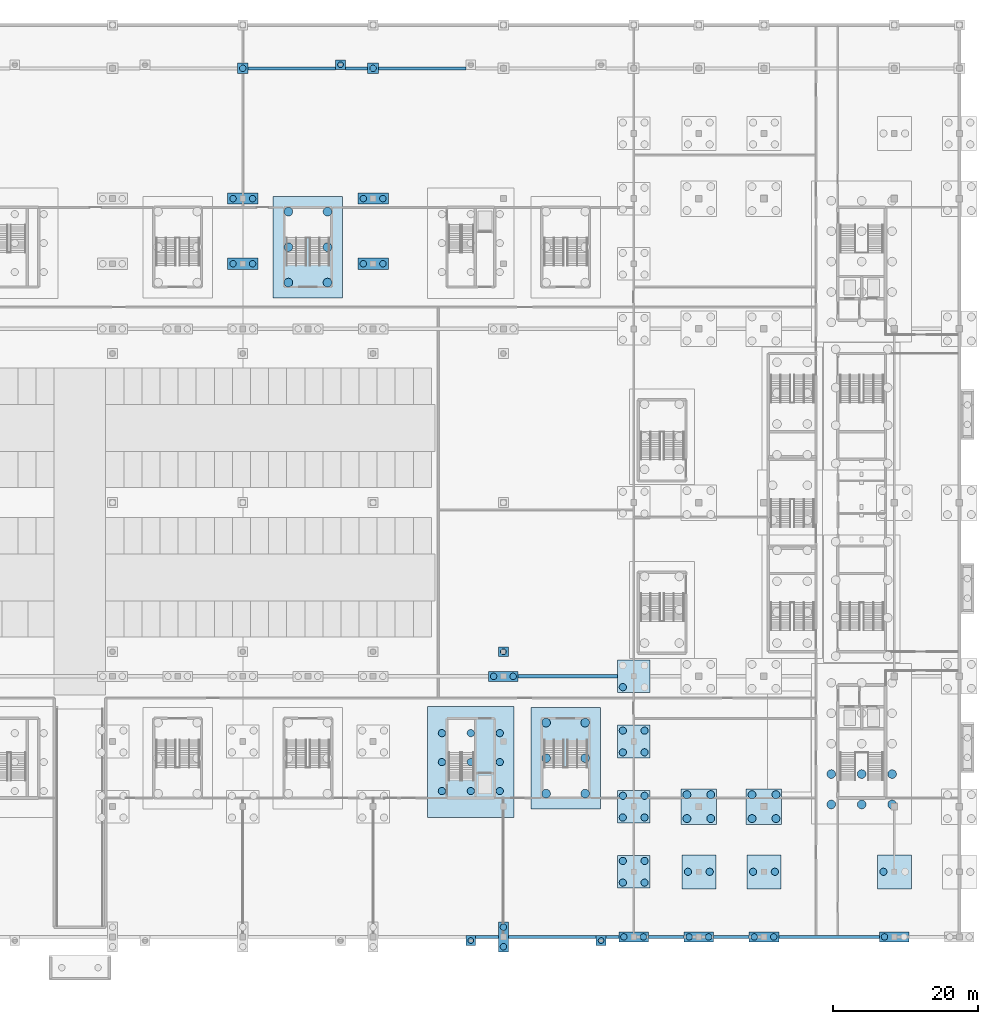
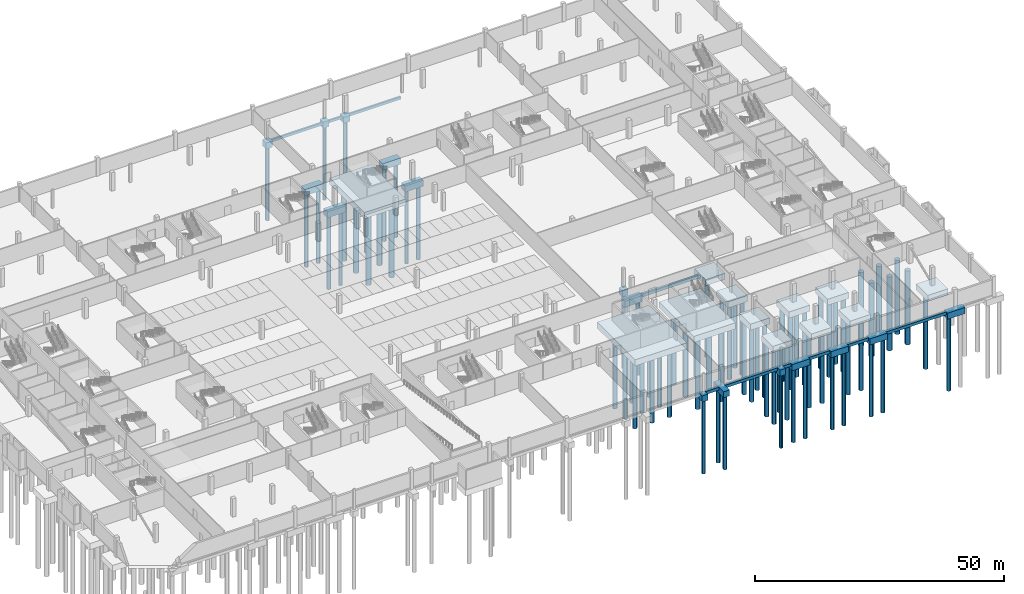
# One storey, part 5 of 46: 78 piles, 38 footings.
"""IFC4 building model written with IfcOpenShell, lengths in metres."""

import ifcopenshell
import ifcopenshell.guid

model = None  # the IFC model being written
_history = None  # IfcOwnerHistory: only IFC2X3 demands one
_inside = {}  # id of a spatial element -> (the spatial element, [elements in it])
_under = {}  # id of a project, library or spatial element -> (it, [spatial elements below it])
_declared = {}  # id of a project -> (the project, [libraries it declares])
_typed = {}  # id of a type object -> (the type object, [elements of that type])
_made_of = {}  # id of a material, layer set ... -> (it, [elements and type objects made of it])


def new_model(schema):
    """Start an empty IFC model of exactly this schema.

    Asked for "IFC4X3", IfcOpenShell would pick the latest addendum, in which some entities
    have other attributes; the version numbers below select the first issue.
    IFC2X3 requires an IfcOwnerHistory on every rooted entity: one is made here for all.
    """
    global model, _history
    if schema == "IFC4X3":
        model = ifcopenshell.file(schema_version=(4, 3, 0, 0))
    else:
        model = ifcopenshell.file(schema=schema)
    _inside.clear()
    _under.clear()
    _declared.clear()
    _typed.clear()
    _made_of.clear()
    _history = None
    if model.schema == "IFC2X3":
        org = make("IfcOrganization", Name="unknown")
        user = make(
            "IfcPersonAndOrganization",
            ThePerson=make("IfcPerson", FamilyName="unknown"),
            TheOrganization=org,
        )
        app = make(
            "IfcApplication",
            ApplicationDeveloper=org,
            Version="unknown",
            ApplicationFullName="unknown",
            ApplicationIdentifier="unknown",
        )
        _history = make(
            "IfcOwnerHistory",
            OwningUser=user,
            OwningApplication=app,
            ChangeAction="ADDED",
            CreationDate=0,
        )
    return model


def make(cls, **values):
    """One entity of the class cls with the attributes given. An attribute that is None is left unset."""
    return model.create_entity(
        cls, **{name: value for name, value in values.items() if value is not None}
    )


def rooted(cls, **values):
    """An entity with a GlobalId (a new one), such as an element, a storey or a relation."""
    return make(cls, GlobalId=ifcopenshell.guid.new(), OwnerHistory=_history, **values)


def si_unit(unit_type, name, prefix=None):
    """IfcSIUnit, for example si_unit("LENGTHUNIT", "METRE", prefix="MILLI")."""
    return make("IfcSIUnit", UnitType=unit_type, Prefix=prefix, Name=name)


def assignment(units):
    """IfcUnitAssignment: the units of a project."""
    return None if units is None else make("IfcUnitAssignment", Units=units)


def point(xyz):
    """IfcCartesianPoint."""
    return None if xyz is None else make("IfcCartesianPoint", Coordinates=xyz)


def direction(xyz):
    """IfcDirection."""
    return None if xyz is None else make("IfcDirection", DirectionRatios=xyz)


def frame(location, z_axis=None, x_axis=None):
    """IfcAxis2Placement3D, a coordinate frame: its origin and axes. An axis left out is left unset."""
    return make(
        "IfcAxis2Placement3D",
        Location=point(location),
        Axis=direction(z_axis),
        RefDirection=direction(x_axis),
    )


def frame_2d(location, x_axis=None):
    """IfcAxis2Placement2D, a coordinate frame in the plane: its origin and x axis."""
    return make(
        "IfcAxis2Placement2D", Location=point(location), RefDirection=direction(x_axis)
    )


def origin():
    """The frame at (0, 0, 0) with its axes left unset."""
    return frame((0.0, 0.0, 0.0))


def origin_2d():
    """The frame at (0, 0) in the plane with its x axis left unset."""
    return frame_2d((0.0, 0.0))


def place(relative_to, where):
    """IfcLocalPlacement: puts the frame where relative to a parent placement (None: the world)."""
    return make(
        "IfcLocalPlacement", PlacementRelTo=relative_to, RelativePlacement=where
    )


def context(
    kind, dimensions, precision=None, world=None, true_north=None, identifier=None
):
    """IfcGeometricRepresentationContext, for example the 3D "Model" context."""
    return make(
        "IfcGeometricRepresentationContext",
        ContextIdentifier=identifier,
        ContextType=kind,
        CoordinateSpaceDimension=dimensions,
        Precision=precision,
        WorldCoordinateSystem=world,
        TrueNorth=true_north,
    )


def subcontext(parent, identifier, kind, view, scale=None):
    """IfcGeometricRepresentationSubContext, for example "Body" below "Model"."""
    return make(
        "IfcGeometricRepresentationSubContext",
        ContextIdentifier=identifier,
        ContextType=kind,
        ParentContext=parent,
        TargetScale=scale,
        TargetView=view,
    )


def project(units=None, contexts=None):
    """IfcProject with its units and contexts."""
    return rooted(
        "IfcProject",
        Name="project",
        RepresentationContexts=contexts,
        UnitsInContext=assignment(units),
    )


def spatial(cls, under=None, at=None, **own):
    """A site, building, storey or space (cls), placed at a placement, below another one or the project."""
    s = rooted(cls, ObjectPlacement=at, **own)
    if under is not None:
        _under.setdefault(under.id(), (under, []))[1].append(s)
    return s


def polyline(points):
    """IfcPolyline through the points."""
    return make("IfcPolyline", Points=[point(p) for p in points])


def profile(cls, at=None, kind="AREA", **sizes):
    """A parametric profile (cls). Its sizes go by their IFC names, for example OverallWidth=200.0."""
    return make(cls, ProfileType=kind, Position=at, **sizes)


def circle(**sizes):
    """IfcCircleProfileDef."""
    return profile("IfcCircleProfileDef", **sizes)


def outline(outer, holes=None, kind="AREA"):
    """IfcArbitraryClosedProfileDef: a profile drawn as a closed curve; with holes, ...WithVoids."""
    if holes is None:
        return make("IfcArbitraryClosedProfileDef", ProfileType=kind, OuterCurve=outer)
    return make(
        "IfcArbitraryProfileDefWithVoids",
        ProfileType=kind,
        OuterCurve=outer,
        InnerCurves=holes,
    )


def extrude(swept, where, along, depth):
    """IfcExtrudedAreaSolid: the profile swept, set in the frame where, extruded along a direction by depth."""
    return make(
        "IfcExtrudedAreaSolid",
        SweptArea=swept,
        Position=where,
        ExtrudedDirection=direction(along),
        Depth=depth,
    )


def shape(context_of_items, identifier, shape_type, items):
    """IfcShapeRepresentation: the items that make up one representation, for example the "Body"."""
    return make(
        "IfcShapeRepresentation",
        ContextOfItems=context_of_items,
        RepresentationIdentifier=identifier,
        RepresentationType=shape_type,
        Items=items,
    )


def material(Name=None, Category=None):
    """IfcMaterial."""
    return make("IfcMaterial", Name=Name, Category=Category)


def material_profile(
    of_material, cross_section, Name=None, Category=None, Priority=None
):
    """IfcMaterialProfile: a cross section and its material."""
    return make(
        "IfcMaterialProfile",
        Name=Name,
        Material=of_material,
        Profile=cross_section,
        Priority=Priority,
        Category=Category,
    )


def profile_set(profiles, Name=None, composite=None):
    """IfcMaterialProfileSet."""
    return make(
        "IfcMaterialProfileSet",
        Name=Name,
        MaterialProfiles=profiles,
        CompositeProfile=composite,
    )


def made_of(thing, what):
    """Note that an element or type object is made of a material, layer set ...; save() writes the relation."""
    if what is not None:
        _made_of.setdefault(what.id(), (what, []))[1].append(thing)
    return thing


def type_object(cls, material=None, **own):
    """A type object (cls), such as IfcWallType, which elements share."""
    return made_of(rooted(cls, **own), material)


def element(
    cls,
    number,
    at=None,
    inside=None,
    cuts=None,
    type_object=None,
    material=None,
    context=None,
    identifier="Body",
    shape_type=None,
    held_by="IfcProductDefinitionShape",
    body=None,
    shapes=None,
    **own,
):
    """One element of the class cls, such as IfcWall. Its Tag is "e" and its number.

    at: its placement. inside: the storey or other place that contains it. cuts: it is an
    opening in that element (IfcRelVoidsElement). A single representation is given by context,
    identifier, shape_type and body (its items); several are given by shapes. held_by: the class
    of the entity that holds the representations. save() writes the other relations.
    """
    e = rooted(cls, Tag="e%d" % number, ObjectPlacement=at, **own)
    if body is not None:
        shapes = [shape(context, identifier, shape_type, body)]
    if shapes is not None:
        e.Representation = make(held_by, Representations=shapes)
    if inside is not None:
        _inside.setdefault(inside.id(), (inside, []))[1].append(e)
    if cuts is not None:
        rooted(
            "IfcRelVoidsElement", RelatingBuildingElement=cuts, RelatedOpeningElement=e
        )
    if type_object is not None:
        _typed.setdefault(type_object.id(), (type_object, []))[1].append(e)
    return made_of(e, material)


def aggregate(whole, parts):
    """IfcRelAggregates: a whole, such as a stair, and the parts it consists of."""
    return rooted("IfcRelAggregates", RelatingObject=whole, RelatedObjects=parts)


def save(model, path):
    """Write the relations noted so far, then the file.

    IfcRelAggregates (storeys below a building ...), IfcRelContainedInSpatialStructure (elements
    in a storey), IfcRelDefinesByType, IfcRelAssociatesMaterial and IfcRelDeclares: one each for
    every whole, place, type object, material and project.
    """
    for whole, parts in _under.values():
        aggregate(whole, parts)
    for where, things in _inside.values():
        rooted(
            "IfcRelContainedInSpatialStructure",
            RelatedElements=things,
            RelatingStructure=where,
        )
    for kind, things in _typed.values():
        rooted("IfcRelDefinesByType", RelatedObjects=things, RelatingType=kind)
    for what, things in _made_of.values():
        rooted("IfcRelAssociatesMaterial", RelatedObjects=things, RelatingMaterial=what)
    for by, libraries in _declared.values():
        rooted("IfcRelDeclares", RelatingContext=by, RelatedDefinitions=libraries)
    model.write(path)


model = new_model("IFC4")

# Units and contexts
model_context = context("Model", 3, precision=1e-05, world=origin(), true_north=direction((0.0, 1.0)))
body_context = subcontext(model_context, "Body", "Model", "MODEL_VIEW")
ifc_project = project(units=[si_unit("LENGTHUNIT", "METRE"), si_unit("AREAUNIT", "SQUARE_METRE"), si_unit("VOLUMEUNIT", "CUBIC_METRE"), si_unit("PLANEANGLEUNIT", "RADIAN"), si_unit("MASSUNIT", "GRAM", prefix="KILO")], contexts=[model_context])

# Site, building, storey
site_placement = place(None, origin())
site = spatial("IfcSite", under=ifc_project, at=site_placement, CompositionType="ELEMENT")
building_placement = place(site_placement, origin())
building = spatial("IfcBuilding", under=site, at=building_placement, Name="Kisiwana Market Hall", CompositionType="ELEMENT")
storey_placement = place(building_placement, frame((0.0, 0.0, -4.5)))
storey = spatial("IfcBuildingStorey", under=building, at=storey_placement, Name="B1", CompositionType="ELEMENT", Elevation=-4.5)

# Footings
ifc_material_1 = material(Name="Concrete C40/50", Category="concrete")
footing_type_1 = type_object("IfcFootingType", Name="FB-TIE-400x650", PredefinedType="FOOTING_BEAM", material=ifc_material_1)
footing_1_placement = place(storey_placement, frame((0.0, 0.0, -1.10009765625)))
element("IfcFooting", 1, at=footing_1_placement, inside=storey, type_object=footing_type_1, Name="Ground tie beam F-262", PredefinedType="FOOTING_BEAM", context=body_context, shape_type="SweptSolid", body=[
    extrude(outline(polyline([(99.75, 119.800048828125), (111.824951171875, 119.800048828125), (111.824951171875, 120.199951171875), (99.75, 120.199951171875), (99.75, 119.800048828125)])), origin(), (0.0, 0.0, 1.0), 0.650146484375),
])
footing_2_placement = place(storey_placement, frame((0.0, 0.0, -1.10009765625)))
element("IfcFooting", 2, at=footing_2_placement, inside=storey, type_object=footing_type_1, Name="Ground tie beam F-263", PredefinedType="FOOTING_BEAM", context=body_context, shape_type="SweptSolid", body=[
    extrude(outline(polyline([(113.175048828125, 119.800048828125), (116.25, 119.800048828125), (116.25, 120.199951171875), (113.175048828125, 120.199951171875), (113.175048828125, 119.800048828125)])), origin(), (0.0, 0.0, 1.0), 0.650146484375),
])
footing_3_placement = place(storey_placement, frame((0.0, 0.0, -1.10009765625)))
element("IfcFooting", 3, at=footing_3_placement, inside=storey, type_object=footing_type_1, Name="Ground tie beam F-264", PredefinedType="FOOTING_BEAM", context=body_context, shape_type="SweptSolid", body=[
    extrude(outline(polyline([(117.75, 119.800048828125), (129.824951171875, 119.800048828125), (129.824951171875, 120.199951171875), (117.75, 120.199951171875), (117.75, 119.800048828125)])), origin(), (0.0, 0.0, 1.0), 0.650146484375),
])
ifc_material_2 = material(Name="Concrete C40/50", Category="concrete")
footing_type_2 = type_object("IfcFootingType", Name="FB-TIE-450x700", PredefinedType="FOOTING_BEAM", material=ifc_material_2)
footing_4_placement = place(storey_placement, frame((0.0, 0.0, -1.14990234375)))
element("IfcFooting", 4, at=footing_4_placement, inside=storey, type_object=footing_type_2, Name="Ground tie beam F-213", PredefinedType="FOOTING_BEAM", context=body_context, shape_type="SweptSolid", body=[
    extrude(outline(polyline([(131.175048828125, -0.22509765625), (134.300048828125, -0.22509765625), (134.300048828125, 0.22509765625), (131.175048828125, 0.22509765625), (131.175048828125, -0.22509765625)])), origin(), (0.0, 0.0, 1.0), 0.699951171875),
])
footing_5_placement = place(storey_placement, frame((0.0, 0.0, -1.14990234375)))
element("IfcFooting", 5, at=footing_5_placement, inside=storey, type_object=footing_type_2, Name="Ground tie beam F-214", PredefinedType="FOOTING_BEAM", context=body_context, shape_type="SweptSolid", body=[
    extrude(outline(polyline([(135.699951171875, -0.22509765625), (147.824951171875, -0.22509765625), (147.824951171875, 0.22509765625), (135.699951171875, 0.22509765625), (135.699951171875, -0.22509765625)])), origin(), (0.0, 0.0, 1.0), 0.699951171875),
])
footing_6_placement = place(storey_placement, frame((0.0, 0.0, -1.14990234375)))
element("IfcFooting", 6, at=footing_6_placement, inside=storey, type_object=footing_type_2, Name="Ground tie beam F-215", PredefinedType="FOOTING_BEAM", context=body_context, shape_type="SweptSolid", body=[
    extrude(outline(polyline([(149.175048828125, -0.22509765625), (150.949951171875, -0.22509765625), (150.949951171875, 0.22509765625), (149.175048828125, 0.22509765625), (149.175048828125, -0.22509765625)])), origin(), (0.0, 0.0, 1.0), 0.699951171875),
])
footing_7_placement = place(storey_placement, frame((0.0, 0.0, -1.14990234375)))
element("IfcFooting", 7, at=footing_7_placement, inside=storey, type_object=footing_type_2, Name="Ground tie beam F-216", PredefinedType="FOOTING_BEAM", context=body_context, shape_type="SweptSolid", body=[
    extrude(outline(polyline([(155.050048828125, -0.22509765625), (159.949951171875, -0.22509765625), (159.949951171875, 0.22509765625), (155.050048828125, 0.22509765625), (155.050048828125, -0.22509765625)])), origin(), (0.0, 0.0, 1.0), 0.699951171875),
])
footing_8_placement = place(storey_placement, frame((0.0, 0.0, -1.14990234375)))
element("IfcFooting", 8, at=footing_8_placement, inside=storey, type_object=footing_type_2, Name="Ground tie beam F-217", PredefinedType="FOOTING_BEAM", context=body_context, shape_type="SweptSolid", body=[
    extrude(outline(polyline([(164.050048828125, -0.22509765625), (168.949951171875, -0.22509765625), (168.949951171875, 0.22509765625), (164.050048828125, 0.22509765625), (164.050048828125, -0.22509765625)])), origin(), (0.0, 0.0, 1.0), 0.699951171875),
])
footing_9_placement = place(storey_placement, frame((0.0, 0.0, -1.14990234375)))
element("IfcFooting", 9, at=footing_9_placement, inside=storey, type_object=footing_type_2, Name="Ground tie beam F-218", PredefinedType="FOOTING_BEAM", context=body_context, shape_type="SweptSolid", body=[
    extrude(outline(polyline([(173.050048828125, -0.22509765625), (186.949951171875, -0.22509765625), (186.949951171875, 0.22509765625), (173.050048828125, 0.22509765625), (173.050048828125, -0.22509765625)])), origin(), (0.0, 0.0, 1.0), 0.699951171875),
])
ifc_material_3 = material(Name="Concrete C40/50", Category="concrete")
footing_type_3 = type_object("IfcFootingType", Name="FB-TIE-500x750", PredefinedType="FOOTING_BEAM", material=ifc_material_3)
footing_10_placement = place(storey_placement, frame((0.0, 0.0, -1.199951171875)))
element("IfcFooting", 10, at=footing_10_placement, inside=storey, type_object=footing_type_3, Name="Ground tie beam F-231", PredefinedType="FOOTING_BEAM", context=body_context, shape_type="SweptSolid", body=[
    extrude(outline(polyline([(137.050048828125, 35.75), (150.75, 35.75), (150.75, 36.25), (137.050048828125, 36.25), (137.050048828125, 35.75)])), origin(), (0.0, 0.0, 1.0), 0.75),
])
ifc_material_4 = material(Name="Concrete C40/50", Category="concrete")
footing_type_4 = type_object("IfcFootingType", Name="PC-1P-800", PredefinedType="PILE_CAP", material=ifc_material_4)
footing_11_placement = place(storey_placement, frame((0.0, 0.0, -1.949951171875)))
element("IfcFooting", 11, at=footing_11_placement, inside=storey, type_object=footing_type_4, Name="Pilaster cap F-142", PredefinedType="PILE_CAP", context=body_context, shape_type="SweptSolid", body=[
    extrude(outline(polyline([(129.824951171875, -1.175048828125), (131.175048828125, -1.175048828125), (131.175048828125, 0.175048828125), (129.824951171875, 0.175048828125), (129.824951171875, -1.175048828125)])), origin(), (0.0, 0.0, 1.0), 1.5),
])
footing_12_placement = place(storey_placement, frame((0.0, 0.0, -1.949951171875)))
element("IfcFooting", 12, at=footing_12_placement, inside=storey, type_object=footing_type_4, Name="Pilaster cap F-143", PredefinedType="PILE_CAP", context=body_context, shape_type="SweptSolid", body=[
    extrude(outline(polyline([(147.824951171875, -1.175048828125), (149.175048828125, -1.175048828125), (149.175048828125, 0.175048828125), (147.824951171875, 0.175048828125), (147.824951171875, -1.175048828125)])), origin(), (0.0, 0.0, 1.0), 1.5),
])
footing_13_placement = place(storey_placement, frame((0.0, 0.0, -1.949951171875)))
element("IfcFooting", 13, at=footing_13_placement, inside=storey, type_object=footing_type_4, Name="Pilaster cap F-147", PredefinedType="PILE_CAP", context=body_context, shape_type="SweptSolid", body=[
    extrude(outline(polyline([(111.824951171875, 119.824951171875), (113.175048828125, 119.824951171875), (113.175048828125, 121.175048828125), (111.824951171875, 121.175048828125), (111.824951171875, 119.824951171875)])), origin(), (0.0, 0.0, 1.0), 1.5),
])
footing_14_placement = place(storey_placement, frame((0.0, 0.0, -1.949951171875)))
element("IfcFooting", 14, at=footing_14_placement, inside=storey, type_object=footing_type_4, Name="Gallery post cap F-158", PredefinedType="PILE_CAP", context=body_context, shape_type="SweptSolid", body=[
    extrude(outline(polyline([(134.324951171875, 38.72509765625), (135.675048828125, 38.72509765625), (135.675048828125, 40.074951171875), (134.324951171875, 40.074951171875), (134.324951171875, 38.72509765625)])), origin(), (0.0, 0.0, 1.0), 1.5),
])
ifc_material_5 = material(Name="Concrete C40/50", Category="concrete")
footing_type_5 = type_object("IfcFootingType", Name="PC-1P-900", PredefinedType="PILE_CAP", material=ifc_material_5)
footing_15_placement = place(storey_placement, frame((0.0, 0.0, -1.949951171875)))
element("IfcFooting", 15, at=footing_15_placement, inside=storey, type_object=footing_type_5, Name="Pile cap F-073 at Q/12", PredefinedType="PILE_CAP", context=body_context, shape_type="SweptSolid", body=[
    extrude(outline(polyline([(98.25, 119.25), (99.75, 119.25), (99.75, 120.75), (98.25, 120.75), (98.25, 119.25)])), origin(), (0.0, 0.0, 1.0), 1.5),
])
footing_16_placement = place(storey_placement, frame((0.0, 0.0, -1.949951171875)))
element("IfcFooting", 16, at=footing_16_placement, inside=storey, type_object=footing_type_5, Name="Pile cap F-085 at Q/14", PredefinedType="PILE_CAP", context=body_context, shape_type="SweptSolid", body=[
    extrude(outline(polyline([(116.25, 119.25), (117.75, 119.25), (117.75, 120.75), (116.25, 120.75), (116.25, 119.25)])), origin(), (0.0, 0.0, 1.0), 1.5),
])
ifc_material_6 = material(Name="Concrete C40/50", Category="concrete")
footing_type_6 = type_object("IfcFootingType", Name="PC-2P-900", PredefinedType="PILE_CAP", material=ifc_material_6)
footing_17_placement = place(storey_placement, frame((0.0, 0.0, -1.949951171875)))
element("IfcFooting", 17, at=footing_17_placement, inside=storey, type_object=footing_type_6, Name="Pile cap F-088 at E/16", PredefinedType="PILE_CAP", context=body_context, shape_type="SweptSolid", body=[
    extrude(outline(polyline([(132.949951171875, 35.300048828125), (137.050048828125, 35.300048828125), (137.050048828125, 36.699951171875), (132.949951171875, 36.699951171875), (132.949951171875, 35.300048828125)])), origin(), (0.0, 0.0, 1.0), 1.5),
])
footing_18_placement = place(storey_placement, frame((0.0, 0.0, -1.949951171875)))
element("IfcFooting", 18, at=footing_18_placement, inside=storey, type_object=footing_type_6, Name="Pile cap F-093 at A/18", PredefinedType="PILE_CAP", context=body_context, shape_type="SweptSolid", body=[
    extrude(outline(polyline([(150.949951171875, -0.699951171875), (155.050048828125, -0.699951171875), (155.050048828125, 0.699951171875), (150.949951171875, 0.699951171875), (150.949951171875, -0.699951171875)])), origin(), (0.0, 0.0, 1.0), 1.5),
])
footing_19_placement = place(storey_placement, frame((0.0, 0.0, -1.949951171875)))
element("IfcFooting", 19, at=footing_19_placement, inside=storey, type_object=footing_type_6, Name="Pile cap F-105 at A/19", PredefinedType="PILE_CAP", context=body_context, shape_type="SweptSolid", body=[
    extrude(outline(polyline([(159.949951171875, -0.699951171875), (164.050048828125, -0.699951171875), (164.050048828125, 0.699951171875), (159.949951171875, 0.699951171875), (159.949951171875, -0.699951171875)])), origin(), (0.0, 0.0, 1.0), 1.5),
])
footing_20_placement = place(storey_placement, frame((0.0, 0.0, -1.949951171875)))
element("IfcFooting", 20, at=footing_20_placement, inside=storey, type_object=footing_type_6, Name="Pile cap F-114 at A/20", PredefinedType="PILE_CAP", context=body_context, shape_type="SweptSolid", body=[
    extrude(outline(polyline([(168.949951171875, -0.699951171875), (173.050048828125, -0.699951171875), (173.050048828125, 0.699951171875), (168.949951171875, 0.699951171875), (168.949951171875, -0.699951171875)])), origin(), (0.0, 0.0, 1.0), 1.5),
])
footing_21_placement = place(storey_placement, frame((0.0, 0.0, -1.949951171875)))
element("IfcFooting", 21, at=footing_21_placement, inside=storey, type_object=footing_type_6, Name="Pile cap F-123 at A/22", PredefinedType="PILE_CAP", context=body_context, shape_type="SweptSolid", body=[
    extrude(outline(polyline([(186.949951171875, -0.699951171875), (191.050048828125, -0.699951171875), (191.050048828125, 0.699951171875), (186.949951171875, 0.699951171875), (186.949951171875, -0.699951171875)])), origin(), (0.0, 0.0, 1.0), 1.5),
])
ifc_material_7 = material(Name="Concrete C40/50", Category="concrete")
footing_type_7 = type_object("IfcFootingType", Name="PC-2P-900V", PredefinedType="PILE_CAP", material=ifc_material_7)
footing_22_placement = place(storey_placement, frame((0.0, 0.0, -1.949951171875)))
element("IfcFooting", 22, at=footing_22_placement, inside=storey, type_object=footing_type_7, Name="Pile cap F-087 at A/16", PredefinedType="PILE_CAP", context=body_context, shape_type="SweptSolid", body=[
    extrude(outline(polyline([(134.300048828125, -2.050048828125), (135.699951171875, -2.050048828125), (135.699951171875, 2.050048828125), (134.300048828125, 2.050048828125), (134.300048828125, -2.050048828125)])), origin(), (0.0, 0.0, 1.0), 1.5),
])
ifc_material_8 = material(Name="Concrete C40/50", Category="concrete")
footing_type_8 = type_object("IfcFootingType", Name="PC-2P-950", PredefinedType="PILE_CAP", material=ifc_material_8)
footing_23_placement = place(storey_placement, frame((0.0, 0.0, -1.949951171875)))
element("IfcFooting", 23, at=footing_23_placement, inside=storey, type_object=footing_type_8, Name="Pile cap F-071 at M/12", PredefinedType="PILE_CAP", context=body_context, shape_type="SweptSolid", body=[
    extrude(outline(polyline([(96.89990234375, 92.22509765625), (101.10009765625, 92.22509765625), (101.10009765625, 93.77490234375), (96.89990234375, 93.77490234375), (96.89990234375, 92.22509765625)])), origin(), (0.0, 0.0, 1.0), 1.5),
])
footing_24_placement = place(storey_placement, frame((0.0, 0.0, -1.949951171875)))
element("IfcFooting", 24, at=footing_24_placement, inside=storey, type_object=footing_type_8, Name="Pile cap F-072 at N/12", PredefinedType="PILE_CAP", context=body_context, shape_type="SweptSolid", body=[
    extrude(outline(polyline([(96.89990234375, 101.22509765625), (101.10009765625, 101.22509765625), (101.10009765625, 102.77490234375), (96.89990234375, 102.77490234375), (96.89990234375, 101.22509765625)])), origin(), (0.0, 0.0, 1.0), 1.5),
])
footing_25_placement = place(storey_placement, frame((0.0, 0.0, -1.949951171875)))
element("IfcFooting", 25, at=footing_25_placement, inside=storey, type_object=footing_type_8, Name="Pile cap F-083 at M/14", PredefinedType="PILE_CAP", context=body_context, shape_type="SweptSolid", body=[
    extrude(outline(polyline([(114.89990234375, 92.22509765625), (119.10009765625, 92.22509765625), (119.10009765625, 93.77490234375), (114.89990234375, 93.77490234375), (114.89990234375, 92.22509765625)])), origin(), (0.0, 0.0, 1.0), 1.5),
])
footing_26_placement = place(storey_placement, frame((0.0, 0.0, -1.949951171875)))
element("IfcFooting", 26, at=footing_26_placement, inside=storey, type_object=footing_type_8, Name="Pile cap F-084 at N/14", PredefinedType="PILE_CAP", context=body_context, shape_type="SweptSolid", body=[
    extrude(outline(polyline([(114.89990234375, 101.22509765625), (119.10009765625, 101.22509765625), (119.10009765625, 102.77490234375), (114.89990234375, 102.77490234375), (114.89990234375, 101.22509765625)])), origin(), (0.0, 0.0, 1.0), 1.5),
])
ifc_material_9 = material(Name="Concrete C40/50", Category="concrete")
footing_type_9 = type_object("IfcFootingType", Name="PC-4P-1000", PredefinedType="PILE_CAP", material=ifc_material_9)
footing_27_placement = place(storey_placement, frame((0.0, 0.0, -1.949951171875)))
element("IfcFooting", 27, at=footing_27_placement, inside=storey, type_object=footing_type_9, Name="Pile cap F-094 at B/18", PredefinedType="PILE_CAP", context=body_context, shape_type="SweptSolid", body=[
    extrude(outline(polyline([(150.75, 6.75), (155.25, 6.75), (155.25, 11.25), (150.75, 11.25), (150.75, 6.75)])), origin(), (0.0, 0.0, 1.0), 1.5),
])
footing_28_placement = place(storey_placement, frame((0.0, 0.0, -1.949951171875)))
element("IfcFooting", 28, at=footing_28_placement, inside=storey, type_object=footing_type_9, Name="Pile cap F-095 at C/18", PredefinedType="PILE_CAP", context=body_context, shape_type="SweptSolid", body=[
    extrude(outline(polyline([(150.75, 15.75), (155.25, 15.75), (155.25, 20.25), (150.75, 20.25), (150.75, 15.75)])), origin(), (0.0, 0.0, 1.0), 1.5),
])
footing_29_placement = place(storey_placement, frame((0.0, 0.0, -1.949951171875)))
element("IfcFooting", 29, at=footing_29_placement, inside=storey, type_object=footing_type_9, Name="Pile cap F-096 at D/18", PredefinedType="PILE_CAP", context=body_context, shape_type="SweptSolid", body=[
    extrude(outline(polyline([(150.75, 24.75), (155.25, 24.75), (155.25, 29.25), (150.75, 29.25), (150.75, 24.75)])), origin(), (0.0, 0.0, 1.0), 1.5),
])
footing_30_placement = place(storey_placement, frame((0.0, 0.0, -1.949951171875)))
element("IfcFooting", 30, at=footing_30_placement, inside=storey, type_object=footing_type_9, Name="Pile cap F-097 at E/18", PredefinedType="PILE_CAP", context=body_context, shape_type="SweptSolid", body=[
    extrude(outline(polyline([(150.75, 33.75), (155.25, 33.75), (155.25, 38.25), (150.75, 38.25), (150.75, 33.75)])), origin(), (0.0, 0.0, 1.0), 1.5),
])
ifc_material_10 = material(Name="Concrete C40/50", Category="concrete")
footing_type_10 = type_object("IfcFootingType", Name="PC-4P-1050", PredefinedType="PILE_CAP", material=ifc_material_10)
footing_31_placement = place(storey_placement, frame((0.0, 0.0, -1.949951171875)))
element("IfcFooting", 31, at=footing_31_placement, inside=storey, type_object=footing_type_10, Name="Pile cap F-106 at B/19", PredefinedType="PILE_CAP", context=body_context, shape_type="SweptSolid", body=[
    extrude(outline(polyline([(159.64990234375, 6.64990234375), (164.35009765625, 6.64990234375), (164.35009765625, 11.35009765625), (159.64990234375, 11.35009765625), (159.64990234375, 6.64990234375)])), origin(), (0.0, 0.0, 1.0), 1.5),
])
footing_32_placement = place(storey_placement, frame((0.0, 0.0, -1.949951171875)))
element("IfcFooting", 32, at=footing_32_placement, inside=storey, type_object=footing_type_10, Name="Pile cap F-115 at B/20", PredefinedType="PILE_CAP", context=body_context, shape_type="SweptSolid", body=[
    extrude(outline(polyline([(168.64990234375, 6.64990234375), (173.35009765625, 6.64990234375), (173.35009765625, 11.35009765625), (168.64990234375, 11.35009765625), (168.64990234375, 6.64990234375)])), origin(), (0.0, 0.0, 1.0), 1.5),
])
footing_33_placement = place(storey_placement, frame((0.0, 0.0, -1.949951171875)))
element("IfcFooting", 33, at=footing_33_placement, inside=storey, type_object=footing_type_10, Name="Pile cap F-124 at B/22", PredefinedType="PILE_CAP", context=body_context, shape_type="SweptSolid", body=[
    extrude(outline(polyline([(186.64990234375, 6.64990234375), (191.35009765625, 6.64990234375), (191.35009765625, 11.35009765625), (186.64990234375, 11.35009765625), (186.64990234375, 6.64990234375)])), origin(), (0.0, 0.0, 1.0), 1.5),
])
ifc_material_11 = material(Name="Concrete C40/50", Category="concrete")
footing_type_11 = type_object("IfcFootingType", Name="PC-4P-1100", PredefinedType="PILE_CAP", material=ifc_material_11)
footing_34_placement = place(storey_placement, frame((0.0, 0.0, -1.949951171875)))
element("IfcFooting", 34, at=footing_34_placement, inside=storey, type_object=footing_type_11, Name="Pile cap F-107 at C/19", PredefinedType="PILE_CAP", context=body_context, shape_type="SweptSolid", body=[
    extrude(outline(polyline([(159.550048828125, 15.550048828125), (164.449951171875, 15.550048828125), (164.449951171875, 20.449951171875), (159.550048828125, 20.449951171875), (159.550048828125, 15.550048828125)])), origin(), (0.0, 0.0, 1.0), 1.5),
])
footing_35_placement = place(storey_placement, frame((0.0, 0.0, -1.949951171875)))
element("IfcFooting", 35, at=footing_35_placement, inside=storey, type_object=footing_type_11, Name="Pile cap F-116 at C/20", PredefinedType="PILE_CAP", context=body_context, shape_type="SweptSolid", body=[
    extrude(outline(polyline([(168.550048828125, 15.550048828125), (173.449951171875, 15.550048828125), (173.449951171875, 20.449951171875), (168.550048828125, 20.449951171875), (168.550048828125, 15.550048828125)])), origin(), (0.0, 0.0, 1.0), 1.5),
])
ifc_material_12 = material(Name="Concrete C40/50", Category="concrete")
footing_type_12 = type_object("IfcFootingType", Name="PC-ESC-RAFT", PredefinedType="PILE_CAP", material=ifc_material_12)
footing_36_placement = place(storey_placement, frame((0.0, 0.0, -1.949951171875)))
element("IfcFooting", 36, at=footing_36_placement, inside=storey, type_object=footing_type_12, Name="Core raft pile cap N5 F-177", PredefinedType="PILE_CAP", context=body_context, shape_type="SweptSolid", body=[
    extrude(outline(polyline([(103.199951171875, 88.300048828125), (112.800048828125, 88.300048828125), (112.800048828125, 102.300048828125), (103.199951171875, 102.300048828125), (103.199951171875, 88.300048828125)])), origin(), (0.0, 0.0, 1.0), 1.5),
])
footing_37_placement = place(storey_placement, frame((0.0, 0.0, -1.949951171875)))
element("IfcFooting", 37, at=footing_37_placement, inside=storey, type_object=footing_type_12, Name="Core raft pile cap S6 F-184", PredefinedType="PILE_CAP", context=body_context, shape_type="SweptSolid", body=[
    extrude(outline(polyline([(138.800048828125, 17.699951171875), (148.39990234375, 17.699951171875), (148.39990234375, 31.699951171875), (138.800048828125, 31.699951171875), (138.800048828125, 17.699951171875)])), origin(), (0.0, 0.0, 1.0), 1.5),
])
ifc_material_13 = material(Name="Concrete C40/50", Category="concrete")
footing_type_13 = type_object("IfcFootingType", Name="PC-POD-RAFT", PredefinedType="PILE_CAP", material=ifc_material_13)
footing_38_placement = place(storey_placement, frame((0.0, 0.0, -1.949951171875)))
element("IfcFooting", 38, at=footing_38_placement, inside=storey, type_object=footing_type_13, Name="Podium core pile cap S2 F-180", PredefinedType="PILE_CAP", context=body_context, shape_type="SweptSolid", body=[
    extrude(outline(polyline([(124.5, 16.5), (136.5, 16.5), (136.5, 31.800048828125), (124.5, 31.800048828125), (124.5, 16.5)])), origin(), (0.0, 0.0, 1.0), 1.5),
])

# Piles
ifc_material_14 = material(Name="Concrete C40/50", Category="concrete")
ifc_material_profile_1 = material_profile(ifc_material_14, circle(Radius=0.5, at=origin_2d()), Name="BP D1000")
ifc_profile_set_1 = profile_set([ifc_material_profile_1], Name="Concrete C40/50")
pile_type_1 = type_object("IfcPileType", Name="PILE-D1000", PredefinedType="BORED", material=ifc_profile_set_1)
for number, where, z_axis, x_axis, name in (
    (39, (126.5, 20.14990234375, -1.85009765625), (0.0, 0.0, -1.0), (1.0, 0.0, 0.0), "Bored pile P-070"),
    (40, (126.5, 24.14990234375, -1.85009765625), (0.0, 0.0, -1.0), (1.0, 0.0, 0.0), "Bored pile P-071"),
    (41, (126.5, 28.14990234375, -1.85009765625), (0.0, 0.0, -1.0), (1.0, 0.0, 0.0), "Bored pile P-072"),
    (42, (130.5, 20.14990234375, -1.85009765625), (0.0, 0.0, -1.0), (1.0, 0.0, 0.0), "Bored pile P-073"),
    (43, (130.5, 24.14990234375, -1.85009765625), (0.0, 0.0, -1.0), (1.0, 0.0, 0.0), "Bored pile P-074"),
    (44, (130.5, 28.14990234375, -1.85009765625), (0.0, 0.0, -1.0), (1.0, 0.0, 0.0), "Bored pile P-075"),
    (45, (134.5, 20.14990234375, -1.85009765625), (0.0, 0.0, -1.0), (1.0, 0.0, 0.0), "Bored pile P-076"),
    (46, (134.5, 24.14990234375, -1.85009765625), (0.0, 0.0, -1.0), (1.0, 0.0, 0.0), "Bored pile P-077"),
    (47, (134.5, 28.14990234375, -1.85009765625), (0.0, 0.0, -1.0), (1.0, 0.0, 0.0), "Bored pile P-078"),
    (48, (151.5, 7.5, -1.85009765625), (0.0, 0.0, -1.0), (1.0, 0.0, 0.0), "Bored pile P-318"),
    (49, (154.5, 7.5, -1.85009765625), (0.0, 0.0, -1.0), (1.0, 0.0, 0.0), "Bored pile P-319"),
    (50, (151.5, 10.5, -1.85009765625), (0.0, 0.0, -1.0), (1.0, 0.0, 0.0), "Bored pile P-320"),
    (51, (154.5, 10.5, -1.85009765625), (0.0, 0.0, -1.0), (1.0, 0.0, 0.0), "Bored pile P-321"),
    (52, (151.5, 16.5, -1.85009765625), (0.0, 0.0, -1.0), (1.0, 0.0, 0.0), "Bored pile P-322"),
    (53, (154.5, 16.5, -1.85009765625), (0.0, 0.0, -1.0), (1.0, 0.0, 0.0), "Bored pile P-323"),
    (54, (151.5, 19.5, -1.85009765625), (0.0, 0.0, -1.0), (1.0, 0.0, 0.0), "Bored pile P-324"),
    (55, (154.5, 19.5, -1.85009765625), (0.0, 0.0, -1.0), (1.0, 0.0, 0.0), "Bored pile P-325"),
    (56, (151.5, 25.5, -1.85009765625), (0.0, 0.0, -1.0), (1.0, 0.0, 0.0), "Bored pile P-326"),
    (57, (154.5, 25.5, -1.85009765625), (0.0, 0.0, -1.0), (1.0, 0.0, 0.0), "Bored pile P-327"),
    (58, (151.5, 28.5, -1.85009765625), (0.0, 0.0, -1.0), (1.0, 0.0, 0.0), "Bored pile P-328"),
    (59, (154.5, 28.5, -1.85009765625), (0.0, 0.0, -1.0), (1.0, 0.0, 0.0), "Bored pile P-329"),
    (60, (151.5, 34.5, -1.85009765625), (0.0, 0.0, -1.0), (1.0, 0.0, 0.0), "Bored pile P-330"),
    (61, (160.5, 9.0, -1.85009765625), (0.0, 0.0, -1.0), (1.0, 0.0, 0.0), "Bored pile P-358"),
    (62, (163.5, 9.0, -1.85009765625), (0.0, 0.0, -1.0), (1.0, 0.0, 0.0), "Bored pile P-359"),
    (63, (169.5, 9.0, -1.85009765625), (0.0, 0.0, -1.0), (1.0, 0.0, 0.0), "Bored pile P-384"),
    (64, (172.5, 9.0, -1.85009765625), (0.0, 0.0, -1.0), (1.0, 0.0, 0.0), "Bored pile P-385"),
    (65, (187.5, 9.0, -1.85009765625), (0.0, 0.0, -1.0), (1.0, 0.0, 0.0), "Bored pile P-410"),
):
    element("IfcPile", number, at=place(storey_placement, frame(where, z_axis=z_axis, x_axis=x_axis)), inside=storey, type_object=pile_type_1, Name=name, PredefinedType="BORED", context=body_context, shape_type="SweptSolid", body=[
        extrude(circle(Radius=0.5, at=origin_2d()), origin(), (0.0, 0.0, 1.0), 18.10009765625),
    ])
ifc_material_15 = material(Name="Concrete C40/50", Category="concrete")
ifc_material_profile_2 = material_profile(ifc_material_15, circle(Radius=0.550048828125, at=origin_2d()), Name="BP D1100")
ifc_profile_set_2 = profile_set([ifc_material_profile_2], Name="Concrete C40/50")
pile_type_2 = type_object("IfcPileType", Name="PILE-D1100", PredefinedType="BORED", material=ifc_profile_set_2)
for number, where, z_axis, x_axis, name in (
    (66, (160.35009765625, 16.35009765625, -1.85009765625), (0.0, 0.0, -1.0), (1.0, 0.0, 0.0), "Bored pile P-360"),
    (67, (163.64990234375, 16.35009765625, -1.85009765625), (0.0, 0.0, -1.0), (1.0, 0.0, 0.0), "Bored pile P-361"),
    (68, (160.35009765625, 19.64990234375, -1.85009765625), (0.0, 0.0, -1.0), (1.0, 0.0, 0.0), "Bored pile P-362"),
    (69, (163.64990234375, 19.64990234375, -1.85009765625), (0.0, 0.0, -1.0), (1.0, 0.0, 0.0), "Bored pile P-363"),
    (70, (169.35009765625, 16.35009765625, -1.85009765625), (0.0, 0.0, -1.0), (1.0, 0.0, 0.0), "Bored pile P-386"),
    (71, (172.64990234375, 16.35009765625, -1.85009765625), (0.0, 0.0, -1.0), (1.0, 0.0, 0.0), "Bored pile P-387"),
    (72, (169.35009765625, 19.64990234375, -1.85009765625), (0.0, 0.0, -1.0), (1.0, 0.0, 0.0), "Bored pile P-388"),
    (73, (172.64990234375, 19.64990234375, -1.85009765625), (0.0, 0.0, -1.0), (1.0, 0.0, 0.0), "Bored pile P-389"),
):
    element("IfcPile", number, at=place(storey_placement, frame(where, z_axis=z_axis, x_axis=x_axis)), inside=storey, type_object=pile_type_2, Name=name, PredefinedType="BORED", context=body_context, shape_type="SweptSolid", body=[
        extrude(circle(Radius=0.550048828125, at=origin_2d()), origin(), (0.0, 0.0, 1.0), 18.10009765625),
    ])
ifc_material_16 = material(Name="Concrete C40/50", Category="concrete")
ifc_material_profile_3 = material_profile(ifc_material_16, circle(Radius=0.60009765625, at=origin_2d()), Name="BP D1200")
ifc_profile_set_3 = profile_set([ifc_material_profile_3], Name="Concrete C40/50")
pile_type_3 = type_object("IfcPileType", Name="PILE-D1200", PredefinedType="BORED", material=ifc_profile_set_3)
for number, where, z_axis, x_axis, name in (
    (74, (180.300048828125, 18.300048828125, -1.85009765625), (0.0, 0.0, -1.0), (1.0, 0.0, 0.0), "Bored pile P-031"),
    (75, (180.300048828125, 22.5, -1.85009765625), (0.0, 0.0, -1.0), (1.0, 0.0, 0.0), "Bored pile P-032"),
    (76, (184.5, 18.300048828125, -1.85009765625), (0.0, 0.0, -1.0), (1.0, 0.0, 0.0), "Bored pile P-036"),
    (77, (184.5, 22.5, -1.85009765625), (0.0, 0.0, -1.0), (1.0, 0.0, 0.0), "Bored pile P-037"),
    (78, (188.699951171875, 18.300048828125, -1.85009765625), (0.0, 0.0, -1.0), (1.0, 0.0, 0.0), "Bored pile P-041"),
    (79, (188.699951171875, 22.5, -1.85009765625), (0.0, 0.0, -1.0), (1.0, 0.0, 0.0), "Bored pile P-042"),
    (80, (105.300048828125, 90.39990234375, -1.85009765625), (0.0, 0.0, -1.0), (1.0, 0.0, 0.0), "Bored pile P-596"),
    (81, (105.300048828125, 95.300048828125, -1.85009765625), (0.0, 0.0, -1.0), (1.0, 0.0, 0.0), "Bored pile P-597"),
    (82, (105.300048828125, 100.199951171875, -1.85009765625), (0.0, 0.0, -1.0), (1.0, 0.0, 0.0), "Bored pile P-598"),
    (83, (110.699951171875, 90.39990234375, -1.85009765625), (0.0, 0.0, -1.0), (1.0, 0.0, 0.0), "Bored pile P-599"),
    (84, (110.699951171875, 95.300048828125, -1.85009765625), (0.0, 0.0, -1.0), (1.0, 0.0, 0.0), "Bored pile P-600"),
    (85, (110.699951171875, 100.199951171875, -1.85009765625), (0.0, 0.0, -1.0), (1.0, 0.0, 0.0), "Bored pile P-601"),
    (86, (140.89990234375, 19.800048828125, -1.85009765625), (0.0, 0.0, -1.0), (1.0, 0.0, 0.0), "Bored pile P-602"),
    (87, (140.89990234375, 24.699951171875, -1.85009765625), (0.0, 0.0, -1.0), (1.0, 0.0, 0.0), "Bored pile P-603"),
    (88, (140.89990234375, 29.60009765625, -1.85009765625), (0.0, 0.0, -1.0), (1.0, 0.0, 0.0), "Bored pile P-604"),
    (89, (146.300048828125, 19.800048828125, -1.85009765625), (0.0, 0.0, -1.0), (1.0, 0.0, 0.0), "Bored pile P-605"),
    (90, (146.300048828125, 24.699951171875, -1.85009765625), (0.0, 0.0, -1.0), (1.0, 0.0, 0.0), "Bored pile P-606"),
    (91, (146.300048828125, 29.60009765625, -1.85009765625), (0.0, 0.0, -1.0), (1.0, 0.0, 0.0), "Bored pile P-607"),
):
    element("IfcPile", number, at=place(storey_placement, frame(where, z_axis=z_axis, x_axis=x_axis)), inside=storey, type_object=pile_type_3, Name=name, PredefinedType="BORED", context=body_context, shape_type="SweptSolid", body=[
        extrude(circle(Radius=0.60009765625, at=origin_2d()), origin(), (0.0, 0.0, 1.0), 18.10009765625),
    ])
ifc_material_17 = material(Name="Concrete C40/50", Category="concrete")
ifc_material_profile_4 = material_profile(ifc_material_17, circle(Radius=0.39990234375, at=origin_2d()), Name="BP D800")
ifc_profile_set_4 = profile_set([ifc_material_profile_4], Name="Concrete C40/50")
pile_type_4 = type_object("IfcPileType", Name="PILE-D800", PredefinedType="BORED", material=ifc_profile_set_4)
for number, where, z_axis, x_axis, name in (
    (92, (130.5, -0.5, -1.85009765625), (0.0, 0.0, -1.0), (1.0, 0.0, 0.0), "Bored pile P-450"),
    (93, (148.5, -0.5, -1.85009765625), (0.0, 0.0, -1.0), (1.0, 0.0, 0.0), "Bored pile P-451"),
    (94, (112.5, 120.5, -1.85009765625), (0.0, 0.0, -1.0), (1.0, 0.0, 0.0), "Bored pile P-455"),
    (95, (135.0, 39.39990234375, -1.85009765625), (0.0, 0.0, -1.0), (1.0, 0.0, 0.0), "Bored pile P-466"),
):
    element("IfcPile", number, at=place(storey_placement, frame(where, z_axis=z_axis, x_axis=x_axis)), inside=storey, type_object=pile_type_4, Name=name, PredefinedType="BORED", context=body_context, shape_type="SweptSolid", body=[
        extrude(circle(Radius=0.39990234375, at=origin_2d()), origin(), (0.0, 0.0, 1.0), 18.10009765625),
    ])
ifc_material_18 = material(Name="Concrete C40/50", Category="concrete")
ifc_material_profile_5 = material_profile(ifc_material_18, circle(Radius=0.449951171875, at=origin_2d()), Name="BP D900")
ifc_profile_set_5 = profile_set([ifc_material_profile_5], Name="Concrete C40/50")
pile_type_5 = type_object("IfcPileType", Name="PILE-D900", PredefinedType="BORED", material=ifc_profile_set_5)
for number, where, z_axis, x_axis, name in (
    (96, (97.64990234375, 93.0, -1.85009765625), (0.0, 0.0, -1.0), (1.0, 0.0, 0.0), "Bored pile P-276"),
    (97, (100.35009765625, 93.0, -1.85009765625), (0.0, 0.0, -1.0), (1.0, 0.0, 0.0), "Bored pile P-277"),
    (98, (97.64990234375, 102.0, -1.85009765625), (0.0, 0.0, -1.0), (1.0, 0.0, 0.0), "Bored pile P-278"),
    (99, (100.35009765625, 102.0, -1.85009765625), (0.0, 0.0, -1.0), (1.0, 0.0, 0.0), "Bored pile P-279"),
    (100, (99.0, 120.0, -1.85009765625), (0.0, 0.0, -1.0), (1.0, 0.0, 0.0), "Bored pile P-280"),
    (101, (115.64990234375, 93.0, -1.85009765625), (0.0, 0.0, -1.0), (1.0, 0.0, 0.0), "Bored pile P-301"),
    (102, (118.35009765625, 93.0, -1.85009765625), (0.0, 0.0, -1.0), (1.0, 0.0, 0.0), "Bored pile P-302"),
    (103, (115.64990234375, 102.0, -1.85009765625), (0.0, 0.0, -1.0), (1.0, 0.0, 0.0), "Bored pile P-303"),
    (104, (118.35009765625, 102.0, -1.85009765625), (0.0, 0.0, -1.0), (1.0, 0.0, 0.0), "Bored pile P-304"),
    (105, (117.0, 120.0, -1.85009765625), (0.0, 0.0, -1.0), (1.0, 0.0, 0.0), "Bored pile P-305"),
    (106, (135.0, -1.35009765625, -1.85009765625), (0.0, 0.0, -1.0), (1.0, 0.0, 0.0), "Bored pile P-307"),
    (107, (135.0, 1.35009765625, -1.85009765625), (0.0, 0.0, -1.0), (1.0, 0.0, 0.0), "Bored pile P-308"),
    (108, (133.64990234375, 36.0, -1.85009765625), (0.0, 0.0, -1.0), (1.0, 0.0, 0.0), "Bored pile P-309"),
    (109, (136.35009765625, 36.0, -1.85009765625), (0.0, 0.0, -1.0), (1.0, 0.0, 0.0), "Bored pile P-310"),
    (110, (151.64990234375, 0.0, -1.85009765625), (0.0, 0.0, -1.0), (1.0, 0.0, 0.0), "Bored pile P-316"),
    (111, (154.35009765625, 0.0, -1.85009765625), (0.0, 0.0, -1.0), (1.0, 0.0, 0.0), "Bored pile P-317"),
    (112, (160.64990234375, 0.0, -1.85009765625), (0.0, 0.0, -1.0), (1.0, 0.0, 0.0), "Bored pile P-356"),
    (113, (163.35009765625, 0.0, -1.85009765625), (0.0, 0.0, -1.0), (1.0, 0.0, 0.0), "Bored pile P-357"),
    (114, (169.64990234375, 0.0, -1.85009765625), (0.0, 0.0, -1.0), (1.0, 0.0, 0.0), "Bored pile P-382"),
    (115, (172.35009765625, 0.0, -1.85009765625), (0.0, 0.0, -1.0), (1.0, 0.0, 0.0), "Bored pile P-383"),
    (116, (187.64990234375, 0.0, -1.85009765625), (0.0, 0.0, -1.0), (1.0, 0.0, 0.0), "Bored pile P-408"),
):
    element("IfcPile", number, at=place(storey_placement, frame(where, z_axis=z_axis, x_axis=x_axis)), inside=storey, type_object=pile_type_5, Name=name, PredefinedType="BORED", context=body_context, shape_type="SweptSolid", body=[
        extrude(circle(Radius=0.449951171875, at=origin_2d()), origin(), (0.0, 0.0, 1.0), 18.10009765625),
    ])

save(model, "model.ifc")
